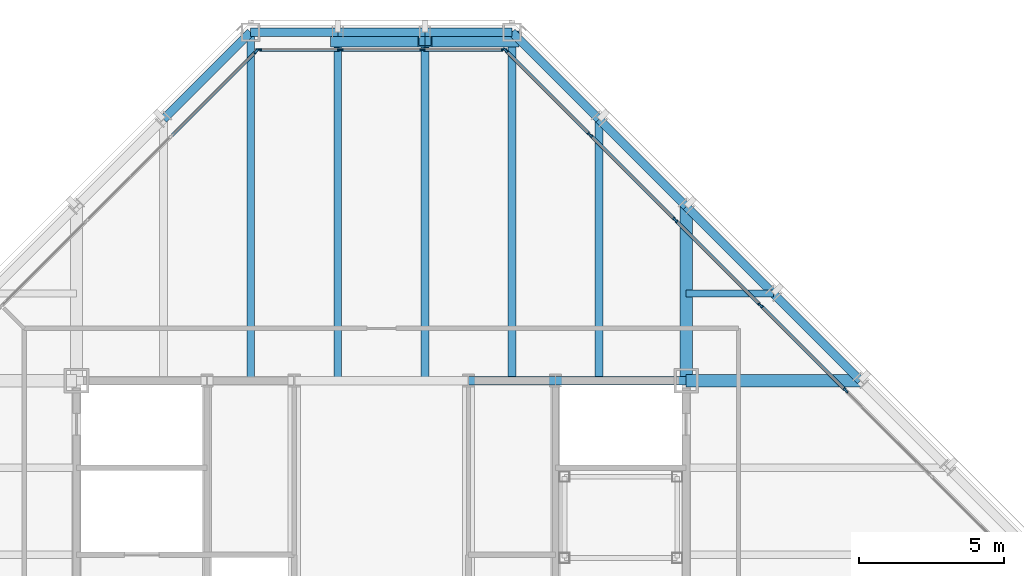
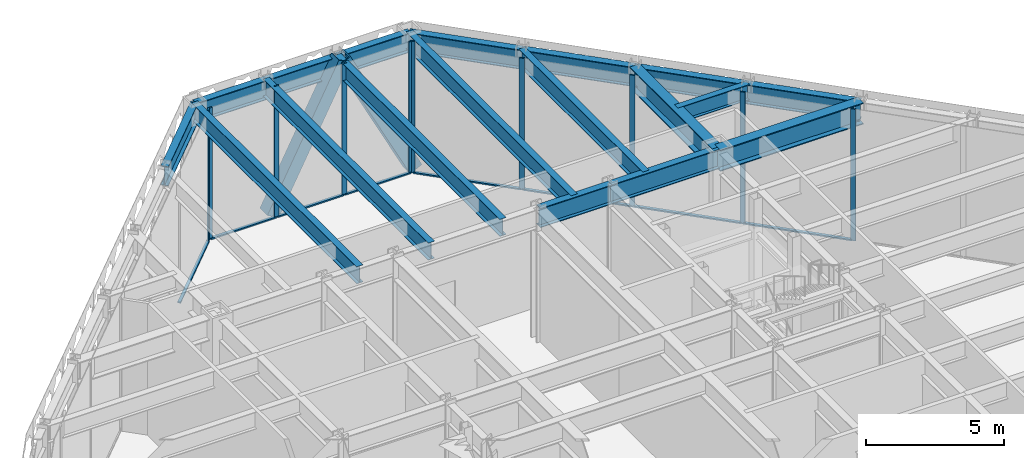
# One storey, part 9 of 28: 20 members, 18 beams, 3 elements without a shape of their own.
"""IFC4 building model written with IfcOpenShell, lengths in metres."""

from ifc_helpers import new_model, si_unit, direction, frame, origin, origin_2d, place, context, subcontext, project, spatial, rectangle, hollow_rectangle, i_section, extrude, material, layer, layer_set, material_profile, profile_set, type_object, element, aggregate, save


model = new_model("IFC4")

# Units and contexts
model_context = context("Model", 3, precision=1e-05, world=origin(), true_north=direction((0.0, 1.0)))
body_context = subcontext(model_context, "Body", "Model", "MODEL_VIEW")
ifc_project = project(units=[si_unit("LENGTHUNIT", "METRE"), si_unit("AREAUNIT", "SQUARE_METRE"), si_unit("VOLUMEUNIT", "CUBIC_METRE"), si_unit("PLANEANGLEUNIT", "RADIAN"), si_unit("MASSUNIT", "GRAM", prefix="KILO")], contexts=[model_context])

# Site, building, storey
site_placement = place(None, origin())
site = spatial("IfcSite", under=ifc_project, at=site_placement, CompositionType="ELEMENT")
building_placement = place(site_placement, origin())
building = spatial("IfcBuilding", under=site, at=building_placement, Name="Chuquiago Exchange Tower", CompositionType="ELEMENT")
storey_placement = place(building_placement, frame((0.0, 0.0, 300.0)))
storey = spatial("IfcBuildingStorey", under=building, at=storey_placement, Name="L67", CompositionType="ELEMENT", Elevation=300.0)

# Beams
ifc_material_1 = material(Name="Steel ASTM A992", Category="steel")
ifc_material_profile_1 = material_profile(ifc_material_1, i_section(OverallWidth=0.2919921875, OverallDepth=0.8583984375, WebThickness=0.01708984375, FlangeThickness=0.031005859375, at=origin_2d()), Name="W33X169")
ifc_profile_set_1 = profile_set([ifc_material_profile_1], Name="Steel ASTM A992")
beam_type_1 = type_object("IfcBeamType", Name="B3 W33X169", PredefinedType="BEAM", material=ifc_profile_set_1)
beam_1_placement = place(storey_placement, frame((25.5, 33.0, 5.41064453125), z_axis=(1.0, 0.0, 0.0), x_axis=(0.0, 1.0, 0.0)))
element("IfcBeam", 1, at=beam_1_placement, inside=storey, type_object=beam_type_1, Name="CB-L68-25.5_33-28.5_33", PredefinedType="BEAM", context=body_context, shape_type="SweptSolid", body=[
    extrude(i_section(OverallWidth=0.2919921875, OverallDepth=0.8583984375, WebThickness=0.01708984375, FlangeThickness=0.031005859375, at=origin_2d()), origin(), (0.0, 0.0, 1.0), 3.0),
])
beam_2_placement = place(storey_placement, frame((28.5, 33.0, 5.41064453125), z_axis=(1.0, 0.0, 0.0), x_axis=(0.0, 1.0, 0.0)))
element("IfcBeam", 2, at=beam_2_placement, inside=storey, type_object=beam_type_1, Name="CB-L68-28.5_33-33_33", PredefinedType="BEAM", context=body_context, shape_type="SweptSolid", body=[
    extrude(i_section(OverallWidth=0.2919921875, OverallDepth=0.8583984375, WebThickness=0.01708984375, FlangeThickness=0.031005859375, at=origin_2d()), origin(), (0.0, 0.0, 1.0), 4.5),
])
ifc_material_2 = material(Name="Steel ASTM A992", Category="steel")
ifc_material_profile_2 = material_profile(ifc_material_2, i_section(OverallWidth=0.2666015625, OverallDepth=0.761962890625, WebThickness=0.014404296875, FlangeThickness=0.021484375, at=origin_2d()), Name="W30X116")
ifc_profile_set_2 = profile_set([ifc_material_profile_2], Name="Steel ASTM A992")
beam_type_2 = type_object("IfcBeamType", Name="B8 W30X116", PredefinedType="BEAM", material=ifc_profile_set_2)
for number, where, z_axis, x_axis, name in (
    (3, (18.0, 33.0, 5.458984375), (0.0, 1.0, 0.0), (-1.0, 0.0, 0.0), "FB-L68-infill-18_33-18_45-0"),
    (4, (21.0, 33.0, 5.458984375), (0.0, 1.0, 0.0), (-1.0, 0.0, 0.0), "FB-L68-infill-21_33-21_45-0"),
    (5, (24.0, 33.0, 5.458984375), (0.0, 1.0, 0.0), (-1.0, 0.0, 0.0), "FB-L68-infill-24_33-24_45-0"),
    (6, (27.0, 33.0, 5.458984375), (0.0, 1.0, 0.0), (-1.0, 0.0, 0.0), "FB-L68-infill-27_33-27_45-0"),
):
    element("IfcBeam", number, at=place(storey_placement, frame(where, z_axis=z_axis, x_axis=x_axis)), inside=storey, type_object=beam_type_2, Name=name, PredefinedType="BEAM", context=body_context, shape_type="SweptSolid", body=[
        extrude(i_section(OverallWidth=0.2666015625, OverallDepth=0.761962890625, WebThickness=0.014404296875, FlangeThickness=0.021484375, at=origin_2d()), origin(), (0.0, 0.0, 1.0), 12.0),
    ])
beam_3_placement = place(storey_placement, frame((30.0, 33.0, 5.458984375), z_axis=(0.0, 1.0, 0.0), x_axis=(-1.0, 0.0, 0.0)))
element("IfcBeam", 7, at=beam_3_placement, inside=storey, type_object=beam_type_2, Name="FB-L68-infill-30_33-30_42-0", PredefinedType="BEAM", context=body_context, shape_type="SweptSolid", body=[
    extrude(i_section(OverallWidth=0.2666015625, OverallDepth=0.761962890625, WebThickness=0.014404296875, FlangeThickness=0.021484375, at=origin_2d()), origin(), (0.0, 0.0, 1.0), 9.0),
])
ifc_material_3 = material(Name="Steel ASTM A992", Category="steel")
ifc_material_profile_3 = material_profile(ifc_material_3, i_section(OverallWidth=0.256591796875, OverallDepth=0.693359375, WebThickness=0.014404296875, FlangeThickness=0.023681640625, at=origin_2d()), Name="W27X114")
ifc_profile_set_3 = profile_set([ifc_material_profile_3], Name="Steel ASTM A992")
beam_type_3 = type_object("IfcBeamType", Name="B9 W27X114", PredefinedType="BEAM", material=ifc_profile_set_3)
beam_4_placement = place(storey_placement, frame((33.0, 36.0, 5.493408203125), z_axis=(1.0, 0.0, 0.0), x_axis=(0.0, 1.0, 0.0)))
element("IfcBeam", 8, at=beam_4_placement, inside=storey, type_object=beam_type_3, Name="FB-L68-corner-33_36-36_36-0", PredefinedType="BEAM", context=body_context, shape_type="SweptSolid", body=[
    extrude(i_section(OverallWidth=0.256591796875, OverallDepth=0.693359375, WebThickness=0.014404296875, FlangeThickness=0.023681640625, at=origin_2d()), origin(), (0.0, 0.0, 1.0), 3.0),
])

# Curtain wall, members
ifc_material_4 = material(Name="Aluminium curtain wall system", Category="aluminium")
ifc_layer = layer(ifc_material_4, 0.199951171875)
ifc_layer_set = layer_set([ifc_layer], Name="CW5 lantern curtain wall")
curtain_wall_type = type_object("IfcCurtainWallType", Name="CW5 lantern curtain wall", PredefinedType="NOTDEFINED", material=ifc_layer_set)
curtain_wall_1_placement = place(storey_placement, origin())
curtain_wall_1 = element("IfcCurtainWall", 9, at=curtain_wall_1_placement, inside=storey, type_object=curtain_wall_type, Name="CW5 curtain wall L67", PredefinedType="NOTDEFINED")
ifc_material_5 = material(Name="Aluminium mullion, pale anodised", Category="aluminium")
ifc_material_profile_4 = material_profile(ifc_material_5, rectangle(XDim=0.06005859375, YDim=0.199951171875, at=origin_2d()), Name="AL 60x200")
ifc_profile_set_4 = profile_set([ifc_material_profile_4], Name="Aluminium mullion, pale anodised")
member_type_1 = type_object("IfcMemberType", Name="CW5-M mullion 60x200", PredefinedType="MULLION", material=ifc_profile_set_4)
member_1_placement = place(storey_placement, frame((38.49365234375, 32.657958984375, 0.0), z_axis=(0.0, 0.0, 1.0), x_axis=(-0.707108788515, -0.707104773852, 0.0)))
member_1 = element("IfcMember", 10, at=member_1_placement, type_object=member_type_1, Name="CW5 mullion 3", PredefinedType="MULLION", context=body_context, shape_type="SweptSolid", body=[
    extrude(rectangle(XDim=0.06005859375, YDim=0.199951171875, at=origin_2d()), origin(), (0.0, 0.0, 1.0), 5.840087890625),
])
member_2_placement = place(storey_placement, frame((35.55810546875, 35.593505859375, 0.0), z_axis=(0.0, 0.0, 1.0), x_axis=(-0.707108788515, -0.707104773852, 0.0)))
member_2 = element("IfcMember", 11, at=member_2_placement, type_object=member_type_1, Name="CW5 mullion 4", PredefinedType="MULLION", context=body_context, shape_type="SweptSolid", body=[
    extrude(rectangle(XDim=0.06005859375, YDim=0.199951171875, at=origin_2d()), origin(), (0.0, 0.0, 1.0), 5.840087890625),
])
member_3_placement = place(storey_placement, frame((32.62255859375, 38.529052734375, 0.0), z_axis=(0.0, 0.0, 1.0), x_axis=(-0.707108788515, -0.707104773852, 0.0)))
member_3 = element("IfcMember", 12, at=member_3_placement, type_object=member_type_1, Name="CW5 mullion 5", PredefinedType="MULLION", context=body_context, shape_type="SweptSolid", body=[
    extrude(rectangle(XDim=0.06005859375, YDim=0.199951171875, at=origin_2d()), origin(), (0.0, 0.0, 1.0), 5.840087890625),
])
member_4_placement = place(storey_placement, frame((29.68701171875, 41.46435546875, 0.0), z_axis=(0.0, 0.0, 1.0), x_axis=(-0.707108788515, -0.707104773852, 0.0)))
member_4 = element("IfcMember", 13, at=member_4_placement, type_object=member_type_1, Name="CW5 mullion 6", PredefinedType="MULLION", context=body_context, shape_type="SweptSolid", body=[
    extrude(rectangle(XDim=0.06005859375, YDim=0.199951171875, at=origin_2d()), origin(), (0.0, 0.0, 1.0), 5.840087890625),
])
member_5_placement = place(storey_placement, frame((26.772705078125, 44.37890625, 0.0), z_axis=(0.0, 0.0, 1.0), x_axis=(-0.707108788515, -0.707104773852, 0.0)))
member_5 = element("IfcMember", 14, at=member_5_placement, type_object=member_type_1, Name="CW5 mullion 7", PredefinedType="MULLION", context=body_context, shape_type="SweptSolid", body=[
    extrude(rectangle(XDim=0.06005859375, YDim=0.199951171875, at=origin_2d()), origin(), (0.0, 0.0, 1.0), 5.840087890625),
])

curtain_wall_2_placement = place(storey_placement, origin())
curtain_wall_2 = element("IfcCurtainWall", 15, at=curtain_wall_2_placement, inside=storey, type_object=curtain_wall_type, Name="CW5 curtain wall L67", PredefinedType="NOTDEFINED")
member_6_placement = place(storey_placement, frame((26.721435546875, 44.39990234375, 0.0), z_axis=(0.0, 0.0, 1.0), x_axis=(0.0, -1.0, 0.0)))
member_6 = element("IfcMember", 16, at=member_6_placement, type_object=member_type_1, Name="CW5 mullion 1", PredefinedType="MULLION", context=body_context, shape_type="SweptSolid", body=[
    extrude(rectangle(XDim=0.06005859375, YDim=0.199951171875, at=origin_2d()), origin(), (0.0, 0.0, 1.0), 5.840087890625),
])
member_7_placement = place(storey_placement, frame((23.917236328125, 44.39990234375, 0.0), z_axis=(0.0, 0.0, 1.0), x_axis=(0.0, -1.0, 0.0)))
member_7 = element("IfcMember", 17, at=member_7_placement, type_object=member_type_1, Name="CW5 mullion 2", PredefinedType="MULLION", context=body_context, shape_type="SweptSolid", body=[
    extrude(rectangle(XDim=0.06005859375, YDim=0.199951171875, at=origin_2d()), origin(), (0.0, 0.0, 1.0), 5.840087890625),
])
member_8_placement = place(storey_placement, frame((21.082763671875, 44.39990234375, 0.0), z_axis=(0.0, 0.0, 1.0), x_axis=(0.0, -1.0, 0.0)))
member_8 = element("IfcMember", 18, at=member_8_placement, type_object=member_type_1, Name="CW5 mullion 3", PredefinedType="MULLION", context=body_context, shape_type="SweptSolid", body=[
    extrude(rectangle(XDim=0.06005859375, YDim=0.199951171875, at=origin_2d()), origin(), (0.0, 0.0, 1.0), 5.840087890625),
])
member_9_placement = place(storey_placement, frame((18.278564453125, 44.39990234375, 0.0), z_axis=(0.0, 0.0, 1.0), x_axis=(0.0, -1.0, 0.0)))
member_9 = element("IfcMember", 19, at=member_9_placement, type_object=member_type_1, Name="CW5 mullion 4", PredefinedType="MULLION", context=body_context, shape_type="SweptSolid", body=[
    extrude(rectangle(XDim=0.06005859375, YDim=0.199951171875, at=origin_2d()), origin(), (0.0, 0.0, 1.0), 5.840087890625),
])

# Curtain wall, member
curtain_wall_3_placement = place(storey_placement, origin())
curtain_wall_3 = element("IfcCurtainWall", 20, at=curtain_wall_3_placement, inside=storey, type_object=curtain_wall_type, Name="CW5 curtain wall L67", PredefinedType="NOTDEFINED")
member_10_placement = place(storey_placement, frame((18.19189453125, 44.343505859375, 0.0), z_axis=(0.0, 0.0, 1.0), x_axis=(0.707104773852, -0.707108788515, 0.0)))
member_10 = element("IfcMember", 21, at=member_10_placement, type_object=member_type_1, Name="CW5 mullion 1", PredefinedType="MULLION", context=body_context, shape_type="SweptSolid", body=[
    extrude(rectangle(XDim=0.06005859375, YDim=0.199951171875, at=origin_2d()), origin(), (0.0, 0.0, 1.0), 5.840087890625),
])

# Member
ifc_material_6 = material(Name="Aluminium transom, pale anodised", Category="aluminium")
ifc_material_profile_5 = material_profile(ifc_material_6, rectangle(XDim=0.1201171875, YDim=0.06005859375, at=origin_2d()), Name="AL 120x60")
ifc_profile_set_5 = profile_set([ifc_material_profile_5], Name="Aluminium transom, pale anodised")
member_type_2 = type_object("IfcMemberType", Name="CW5-T transom 60x120", PredefinedType="MULLION", material=ifc_profile_set_5)
member_11_placement = place(storey_placement, frame((38.472412109375, 32.67919921875, 0.030029296875), z_axis=(-0.707106781187, 0.707106781187, 0.0), x_axis=(-0.707106781187, -0.707106781187, 0.0)))
member_11 = element("IfcMember", 22, at=member_11_placement, type_object=member_type_2, Name="CW5 transom 3.1", PredefinedType="MULLION", context=body_context, shape_type="SweptSolid", body=[
    extrude(rectangle(XDim=0.1201171875, YDim=0.06005859375, at=origin_2d()), origin(), (0.0, 0.0, 1.0), 4.09130859375),
])

member_12_placement = place(storey_placement, frame((35.536865234375, 35.614501953125, 0.030029296875), z_axis=(-0.707076946087, 0.707136615027, 0.0), x_axis=(-0.707136615027, -0.707076946087, 0.0)))
member_12 = element("IfcMember", 23, at=member_12_placement, type_object=member_type_2, Name="CW5 transom 4.1", PredefinedType="MULLION", context=body_context, shape_type="SweptSolid", body=[
    extrude(rectangle(XDim=0.1201171875, YDim=0.06005859375, at=origin_2d()), origin(), (0.0, 0.0, 1.0), 4.091552734375),
])

member_13_placement = place(storey_placement, frame((32.601318359375, 38.550048828125, 0.030029296875), z_axis=(-0.707076946087, 0.707136615027, 0.0), x_axis=(-0.707136615027, -0.707076946087, 0.0)))
member_13 = element("IfcMember", 24, at=member_13_placement, type_object=member_type_2, Name="CW5 transom 5.1", PredefinedType="MULLION", context=body_context, shape_type="SweptSolid", body=[
    extrude(rectangle(XDim=0.1201171875, YDim=0.06005859375, at=origin_2d()), origin(), (0.0, 0.0, 1.0), 4.091552734375),
])

member_14_placement = place(storey_placement, frame((29.665771484375, 41.485595703125, 0.030029296875), z_axis=(-0.707076725429, 0.707136835667, 0.0), x_axis=(-0.707136835667, -0.707076725429, 0.0)))
member_14 = element("IfcMember", 25, at=member_14_placement, type_object=member_type_2, Name="CW5 transom 6.1", PredefinedType="MULLION", context=body_context, shape_type="SweptSolid", body=[
    extrude(rectangle(XDim=0.1201171875, YDim=0.06005859375, at=origin_2d()), origin(), (0.0, 0.0, 1.0), 4.0615234375),
])

aggregate(curtain_wall_1, [member_1, member_2, member_3, member_4, member_5, member_11, member_12, member_13, member_14])

member_15_placement = place(storey_placement, frame((26.69140625, 44.39990234375, 0.030029296875), z_axis=(-1.0, 0.0, 0.0), x_axis=(0.0, -1.0, 0.0)))
member_15 = element("IfcMember", 26, at=member_15_placement, type_object=member_type_2, Name="CW5 transom 1.1", PredefinedType="MULLION", context=body_context, shape_type="SweptSolid", body=[
    extrude(rectangle(XDim=0.1201171875, YDim=0.06005859375, at=origin_2d()), origin(), (0.0, 0.0, 1.0), 2.744140625),
])

member_16_placement = place(storey_placement, frame((23.88720703125, 44.39990234375, 0.030029296875), z_axis=(-1.0, 0.0, 0.0), x_axis=(0.0, -1.0, 0.0)))
member_16 = element("IfcMember", 27, at=member_16_placement, type_object=member_type_2, Name="CW5 transom 2.1", PredefinedType="MULLION", context=body_context, shape_type="SweptSolid", body=[
    extrude(rectangle(XDim=0.1201171875, YDim=0.06005859375, at=origin_2d()), origin(), (0.0, 0.0, 1.0), 2.7744140625),
])

member_17_placement = place(storey_placement, frame((21.052734375, 44.39990234375, 0.030029296875), z_axis=(-1.0, 0.0, 0.0), x_axis=(0.0, -1.0, 0.0)))
member_17 = element("IfcMember", 28, at=member_17_placement, type_object=member_type_2, Name="CW5 transom 3.1", PredefinedType="MULLION", context=body_context, shape_type="SweptSolid", body=[
    extrude(rectangle(XDim=0.1201171875, YDim=0.06005859375, at=origin_2d()), origin(), (0.0, 0.0, 1.0), 2.744140625),
])

aggregate(curtain_wall_2, [member_6, member_7, member_8, member_9, member_15, member_16, member_17])

member_18_placement = place(storey_placement, frame((18.170654296875, 44.322265625, 0.030029296875), z_axis=(-0.707076725429, -0.707136835667, 0.0), x_axis=(0.707136835667, -0.707076725429, 0.0)))
member_18 = element("IfcMember", 29, at=member_18_placement, type_object=member_type_2, Name="CW5 transom 1.1", PredefinedType="MULLION", context=body_context, shape_type="SweptSolid", body=[
    extrude(rectangle(XDim=0.1201171875, YDim=0.06005859375, at=origin_2d()), origin(), (0.0, 0.0, 1.0), 4.0615234375),
])

aggregate(curtain_wall_3, [member_10, member_18])

# Beams
ifc_material_7 = material(Name="Steel ASTM A992", Category="steel")
ifc_material_profile_6 = material_profile(ifc_material_7, i_section(OverallWidth=0.424072265625, OverallDepth=0.947509765625, WebThickness=0.02392578125, FlangeThickness=0.042724609375, at=origin_2d()), Name="W36X302")
ifc_profile_set_6 = profile_set([ifc_material_profile_6], Name="Steel ASTM A992")
beam_type_4 = type_object("IfcBeamType", Name="G4 W36X302", PredefinedType="BEAM", material=ifc_profile_set_6)
for number, where, z_axis, x_axis, name in (
    (30, (33.0, 33.0, 5.3662109375), (0.0, 1.0, 0.0), (-1.0, 0.0, 0.0), "FB-L68-girder-33_33-33_39-0"),
    (31, (33.0, 33.0, 5.3662109375), (1.0, 0.0, 0.0), (0.0, 1.0, 0.0), "FB-L68-girder-33_33-39_33-0"),
):
    element("IfcBeam", number, at=place(storey_placement, frame(where, z_axis=z_axis, x_axis=x_axis)), inside=storey, type_object=beam_type_4, Name=name, PredefinedType="BEAM", context=body_context, shape_type="SweptSolid", body=[
        extrude(i_section(OverallWidth=0.424072265625, OverallDepth=0.947509765625, WebThickness=0.02392578125, FlangeThickness=0.042724609375, at=origin_2d()), origin(), (0.0, 0.0, 1.0), 6.0),
    ])

# Members
ifc_material_8 = material(Name="Steel ASTM A572 Grade 50", Category="steel")
ifc_material_profile_7 = material_profile(ifc_material_8, hollow_rectangle(XDim=0.550048828125, YDim=0.550048828125, WallThickness=0.044921875, at=origin_2d()), Name="BOX550X550X45")
ifc_profile_set_7 = profile_set([ifc_material_profile_7], Name="Steel ASTM A572 Grade 50")
member_type_3 = type_object("IfcMemberType", Name="MB4 BOX550X550X45", PredefinedType="BRACE", material=ifc_profile_set_7)
for number, where, z_axis, x_axis, name in (
    (32, (27.0, 44.77001953125, 0.0), (-0.456929540486, 0.0, 0.889502892087), (0.0, -1.0, 0.0), "Mega diagonal L67 N face"),
    (33, (21.0, 44.77001953125, 0.0), (0.456929540486, 0.0, 0.889502892087), (0.0, 1.0, 0.0), "Mega diagonal L67 N face"),
):
    element("IfcMember", number, at=place(storey_placement, frame(where, z_axis=z_axis, x_axis=x_axis)), inside=storey, type_object=member_type_3, Name=name, PredefinedType="BRACE", context=body_context, shape_type="SweptSolid", body=[
        extrude(hollow_rectangle(XDim=0.550048828125, YDim=0.550048828125, WallThickness=0.044921875, at=origin_2d()), origin(), (0.0, 0.0, 1.0), 6.565673828125),
    ])

# Beams
ifc_material_9 = material(Name="Steel ASTM A992", Category="steel")
ifc_material_profile_8 = material_profile(ifc_material_9, i_section(OverallWidth=0.2919921875, OverallDepth=0.8583984375, WebThickness=0.01708984375, FlangeThickness=0.031005859375, at=origin_2d()), Name="W33X169")
ifc_profile_set_8 = profile_set([ifc_material_profile_8], Name="Steel ASTM A992")
beam_type_5 = type_object("IfcBeamType", Name="SP4 W33X169", PredefinedType="SPANDREL", material=ifc_profile_set_8)
for number, where, z_axis, x_axis, name in (
    (34, (39.0, 33.0, 5.41064453125), (-0.707106781187, 0.707106781187, 0.0), (-0.707106781187, -0.707106781187, 0.0), "SPB-L68-39_33-36_36"),
    (35, (36.0, 36.0, 5.41064453125), (-0.707106781187, 0.707106781187, 0.0), (-0.707106781187, -0.707106781187, 0.0), "SPB-L68-36_36-33_39"),
    (36, (33.0, 39.0, 5.41064453125), (-0.707106781187, 0.707106781187, 0.0), (-0.707106781187, -0.707106781187, 0.0), "SPB-L68-33_39-30_42"),
    (37, (30.0, 42.0, 5.41064453125), (-0.707106781187, 0.707106781187, 0.0), (-0.707106781187, -0.707106781187, 0.0), "SPB-L68-30_42-27_45"),
):
    element("IfcBeam", number, at=place(storey_placement, frame(where, z_axis=z_axis, x_axis=x_axis)), inside=storey, type_object=beam_type_5, Name=name, PredefinedType="SPANDREL", context=body_context, shape_type="SweptSolid", body=[
        extrude(i_section(OverallWidth=0.2919921875, OverallDepth=0.8583984375, WebThickness=0.01708984375, FlangeThickness=0.031005859375, at=origin_2d()), origin(), (0.0, 0.0, 1.0), 4.24267578125),
    ])
for number, where, z_axis, x_axis, name in (
    (38, (27.0, 45.0, 5.41064453125), (-1.0, 0.0, 0.0), (0.0, -1.0, 0.0), "SPB-L68-27_45-24_45"),
    (39, (24.0, 45.0, 5.41064453125), (-1.0, 0.0, 0.0), (0.0, -1.0, 0.0), "SPB-L68-24_45-21_45"),
    (40, (21.0, 45.0, 5.41064453125), (-1.0, 0.0, 0.0), (0.0, -1.0, 0.0), "SPB-L68-21_45-18_45"),
):
    element("IfcBeam", number, at=place(storey_placement, frame(where, z_axis=z_axis, x_axis=x_axis)), inside=storey, type_object=beam_type_5, Name=name, PredefinedType="SPANDREL", context=body_context, shape_type="SweptSolid", body=[
        extrude(i_section(OverallWidth=0.2919921875, OverallDepth=0.8583984375, WebThickness=0.01708984375, FlangeThickness=0.031005859375, at=origin_2d()), origin(), (0.0, 0.0, 1.0), 3.0),
    ])
beam_5_placement = place(storey_placement, frame((18.0, 45.0, 5.41064453125), z_axis=(-0.707106781187, -0.707106781187, 0.0), x_axis=(0.707106781187, -0.707106781187, 0.0)))
element("IfcBeam", 41, at=beam_5_placement, inside=storey, type_object=beam_type_5, Name="SPB-L68-18_45-15_42", PredefinedType="SPANDREL", context=body_context, shape_type="SweptSolid", body=[
    extrude(i_section(OverallWidth=0.2919921875, OverallDepth=0.8583984375, WebThickness=0.01708984375, FlangeThickness=0.031005859375, at=origin_2d()), origin(), (0.0, 0.0, 1.0), 4.24267578125),
])

save(model, "model.ifc")
